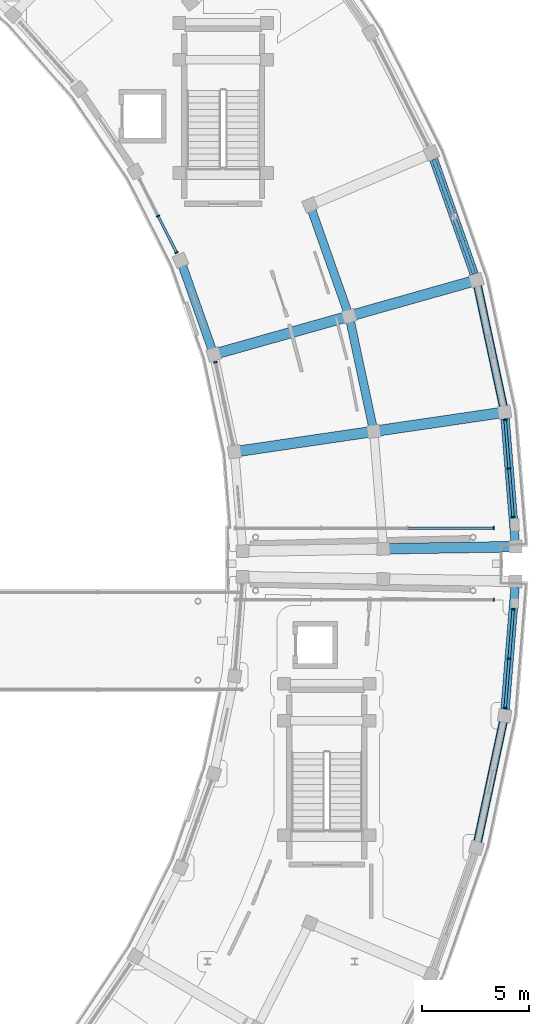
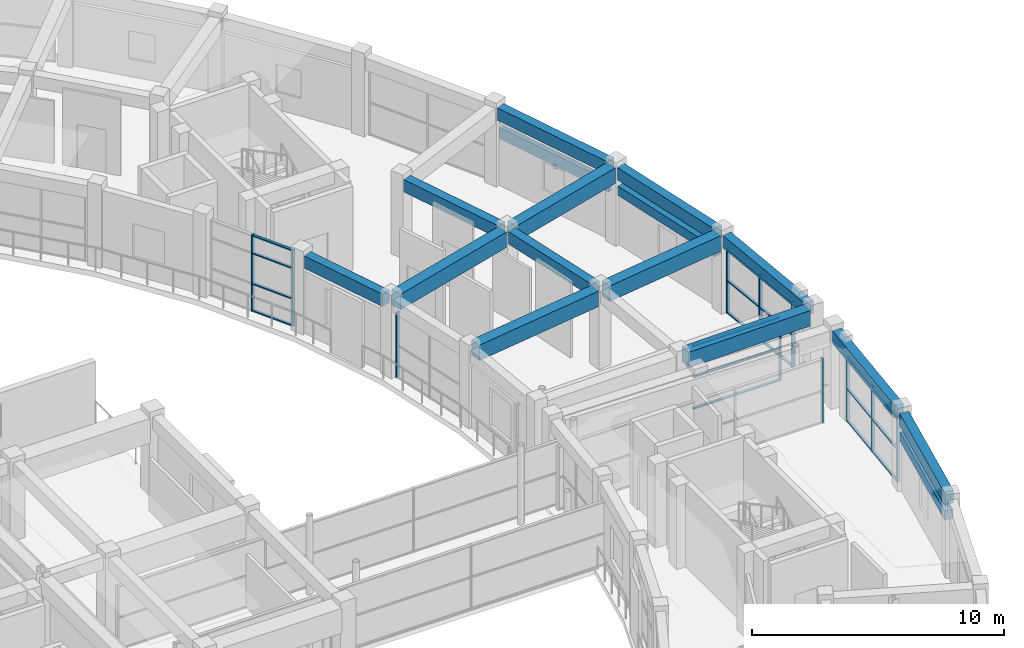
# One storey, part 28 of 70: 31 members, 15 beams, 6 elements without a shape of their own.
"""IFC4 building model written with IfcOpenShell, lengths in metres."""

from ifc_helpers import new_model, si_unit, direction, frame, origin, origin_2d, place, context, subcontext, project, spatial, rectangle, extrude, material, material_profile, profile_set, type_object, element, aggregate, save


model = new_model("IFC4")

# Units and contexts
model_context = context("Model", 3, precision=1e-05, world=origin(), true_north=direction((0.0, 1.0)))
body_context = subcontext(model_context, "Body", "Model", "MODEL_VIEW")
ifc_project = project(units=[si_unit("LENGTHUNIT", "METRE"), si_unit("AREAUNIT", "SQUARE_METRE"), si_unit("VOLUMEUNIT", "CUBIC_METRE"), si_unit("PLANEANGLEUNIT", "RADIAN"), si_unit("MASSUNIT", "GRAM", prefix="KILO")], contexts=[model_context])

# Site, building, storey
site_placement = place(None, origin())
site = spatial("IfcSite", under=ifc_project, at=site_placement, CompositionType="ELEMENT")
building_placement = place(site_placement, origin())
building = spatial("IfcBuilding", under=site, at=building_placement, Name="Saryqyr Civic Hall", CompositionType="ELEMENT")
storey_placement = place(building_placement, frame((0.0, 0.0, 13.199951171875)))
storey = spatial("IfcBuildingStorey", under=building, at=storey_placement, Name="L03", CompositionType="ELEMENT", Elevation=13.199951171875)

# Curtain wall, members
ifc_material_1 = material(Name="Anodised aluminium and triple low-E glass", Category="aluminium")
curtain_wall_type_1 = type_object("IfcCurtainWallType", Name="ENV-CW-STD-41", PredefinedType="NOTDEFINED", material=ifc_material_1)
curtain_wall_1_placement = place(storey_placement, origin())
curtain_wall_1 = element("IfcCurtainWall", 1, at=curtain_wall_1_placement, inside=storey, type_object=curtain_wall_type_1, Name="Curtain wall V5-CWO-L03-09", PredefinedType="NOTDEFINED")
ifc_material_2 = material(Name="Anodised aluminium", Category="aluminium")
ifc_material_profile_1 = material_profile(ifc_material_2, rectangle(XDim=0.06005859375, YDim=0.159912109375, at=origin_2d()), Name="ALU MULLION 60x160")
ifc_profile_set_1 = profile_set([ifc_material_profile_1], Name="Anodised aluminium")
member_type_1 = type_object("IfcMemberType", Name="ENV-CW-MUL-180", PredefinedType="MULLION", material=ifc_profile_set_1)
member_1_placement = place(storey_placement, frame((105.8857421875, 81.86669921875, 0.0), z_axis=(0.0, 0.0, 1.0), x_axis=(-0.081092831142, -0.996706552972, 0.0)))
member_1 = element("IfcMember", 2, at=member_1_placement, type_object=member_type_1, Name="CW-41 mullion 1", PredefinedType="MULLION", context=body_context, shape_type="SweptSolid", body=[
    extrude(rectangle(XDim=0.06005859375, YDim=0.159912109375, at=origin_2d()), origin(), (0.0, 0.0, 1.0), 3.1650390625),
])
member_2_placement = place(storey_placement, frame((105.697998046875, 79.558349609375, 0.0), z_axis=(0.0, 0.0, 1.0), x_axis=(-0.081092831142, -0.996706552972, 0.0)))
member_2 = element("IfcMember", 3, at=member_2_placement, type_object=member_type_1, Name="CW-41 mullion 2", PredefinedType="MULLION", context=body_context, shape_type="SweptSolid", body=[
    extrude(rectangle(XDim=0.06005859375, YDim=0.159912109375, at=origin_2d()), origin(), (0.0, 0.0, 1.0), 3.1650390625),
])
member_3_placement = place(storey_placement, frame((105.51025390625, 77.25, 0.0), z_axis=(0.0, 0.0, 1.0), x_axis=(-0.081092831142, -0.996706552972, 0.0)))
member_3 = element("IfcMember", 4, at=member_3_placement, type_object=member_type_1, Name="CW-41 mullion 3", PredefinedType="MULLION", context=body_context, shape_type="SweptSolid", body=[
    extrude(rectangle(XDim=0.06005859375, YDim=0.159912109375, at=origin_2d()), origin(), (0.0, 0.0, 1.0), 3.1650390625),
])

curtain_wall_type_2 = type_object("IfcCurtainWallType", Name="ENV-CW-STD-30", PredefinedType="NOTDEFINED", material=ifc_material_1)
curtain_wall_2_placement = place(storey_placement, origin())
curtain_wall_2 = element("IfcCurtainWall", 5, at=curtain_wall_2_placement, inside=storey, type_object=curtain_wall_type_2, Name="Curtain wall V6-CWO-L03-00", PredefinedType="NOTDEFINED")
member_4_placement = place(storey_placement, frame((105.51025390625, 90.75, 0.0), z_axis=(0.0, 0.0, 1.0), x_axis=(0.081093274213, -0.996706516923, 0.0)))
member_4 = element("IfcMember", 6, at=member_4_placement, type_object=member_type_1, Name="CW-30 mullion 1", PredefinedType="MULLION", context=body_context, shape_type="SweptSolid", body=[
    extrude(rectangle(XDim=0.06005859375, YDim=0.159912109375, at=origin_2d()), origin(), (0.0, 0.0, 1.0), 3.1650390625),
])
member_5_placement = place(storey_placement, frame((105.69482421875, 88.479248046875, 0.0), z_axis=(0.0, 0.0, 1.0), x_axis=(0.081093274213, -0.996706516923, 0.0)))
member_5 = element("IfcMember", 7, at=member_5_placement, type_object=member_type_1, Name="CW-30 mullion 2", PredefinedType="MULLION", context=body_context, shape_type="SweptSolid", body=[
    extrude(rectangle(XDim=0.06005859375, YDim=0.159912109375, at=origin_2d()), origin(), (0.0, 0.0, 1.0), 3.1650390625),
])
member_6_placement = place(storey_placement, frame((105.879638671875, 86.208251953125, 0.0), z_axis=(0.0, 0.0, 1.0), x_axis=(0.081093274213, -0.996706516923, 0.0)))
member_6 = element("IfcMember", 8, at=member_6_placement, type_object=member_type_1, Name="CW-30 mullion 3", PredefinedType="MULLION", context=body_context, shape_type="SweptSolid", body=[
    extrude(rectangle(XDim=0.06005859375, YDim=0.159912109375, at=origin_2d()), origin(), (0.0, 0.0, 1.0), 3.1650390625),
])

# Curtain wall, member
curtain_wall_type_3 = type_object("IfcCurtainWallType", Name="ENV-CW-STD-21", PredefinedType="NOTDEFINED", material=ifc_material_1)
curtain_wall_3_placement = place(storey_placement, origin())
curtain_wall_3 = element("IfcCurtainWall", 9, at=curtain_wall_3_placement, inside=storey, type_object=curtain_wall_type_3, Name="Curtain wall V6-CWI-L03-01", PredefinedType="NOTDEFINED")
member_7_placement = place(storey_placement, frame((91.91796875, 93.462890625, 0.0), z_axis=(0.0, 0.0, 1.0), x_axis=(-0.208899296688, 0.97793715741, 0.0)))
member_7 = element("IfcMember", 10, at=member_7_placement, type_object=member_type_1, Name="CW-21 mullion 3", PredefinedType="MULLION", context=body_context, shape_type="SweptSolid", body=[
    extrude(rectangle(XDim=0.06005859375, YDim=0.159912109375, at=origin_2d()), origin(), (0.0, 0.0, 1.0), 3.1650390625),
])
aggregate(curtain_wall_3, [member_7])

# Curtain wall, members
curtain_wall_type_4 = type_object("IfcCurtainWallType", Name="ENV-CW-STD-48", PredefinedType="NOTDEFINED", material=ifc_material_1)
curtain_wall_4_placement = place(storey_placement, origin())
curtain_wall_4 = element("IfcCurtainWall", 11, at=curtain_wall_4_placement, inside=storey, type_object=curtain_wall_type_4, Name="Curtain wall V6-CWI-L03-03", PredefinedType="NOTDEFINED")
member_8_placement = place(storey_placement, frame((90.095458984375, 98.607177734375, 0.0), z_axis=(0.0, 0.0, 1.0), x_axis=(-0.451909750219, 0.892063662334, 0.0)))
member_8 = element("IfcMember", 12, at=member_8_placement, type_object=member_type_1, Name="CW-48 mullion 1", PredefinedType="MULLION", context=body_context, shape_type="SweptSolid", body=[
    extrude(rectangle(XDim=0.06005859375, YDim=0.159912109375, at=origin_2d()), origin(), (0.0, 0.0, 1.0), 3.699951171875),
])
member_9_placement = place(storey_placement, frame((89.224853515625, 100.32568359375, 0.0), z_axis=(0.0, 0.0, 1.0), x_axis=(-0.451909750219, 0.892063662334, 0.0)))
member_9 = element("IfcMember", 13, at=member_9_placement, type_object=member_type_1, Name="CW-48 mullion 2", PredefinedType="MULLION", context=body_context, shape_type="SweptSolid", body=[
    extrude(rectangle(XDim=0.06005859375, YDim=0.159912109375, at=origin_2d()), origin(), (0.0, 0.0, 1.0), 3.699951171875),
])

# Curtain wall, member
curtain_wall_type_5 = type_object("IfcCurtainWallType", Name="ENV-CW-STD-81", PredefinedType="NOTDEFINED", material=ifc_material_1)
curtain_wall_5_placement = place(storey_placement, origin())
curtain_wall_5 = element("IfcCurtainWall", 14, at=curtain_wall_5_placement, inside=storey, type_object=curtain_wall_type_5, Name="Curtain wall BR-E-CW1-L03", PredefinedType="NOTDEFINED")
member_10_placement = place(storey_placement, frame((104.969970703125, 82.320068359375, 0.0), z_axis=(0.0, 0.0, 1.0), x_axis=(-1.0, 0.0, 0.0)))
member_10 = element("IfcMember", 15, at=member_10_placement, type_object=member_type_1, Name="CW-81 mullion 1", PredefinedType="MULLION", context=body_context, shape_type="SweptSolid", body=[
    extrude(rectangle(XDim=0.06005859375, YDim=0.159912109375, at=origin_2d()), origin(), (0.0, 0.0, 1.0), 3.10009765625),
])
aggregate(curtain_wall_5, [member_10])

curtain_wall_6_placement = place(storey_placement, origin())
curtain_wall_6 = element("IfcCurtainWall", 16, at=curtain_wall_6_placement, inside=storey, type_object=curtain_wall_type_5, Name="Curtain wall BR-E-CW2-L03", PredefinedType="NOTDEFINED")
member_11_placement = place(storey_placement, frame((104.969970703125, 85.679931640625, 0.0), z_axis=(0.0, 0.0, 1.0), x_axis=(1.0, 0.0, 0.0)))
member_11 = element("IfcMember", 17, at=member_11_placement, type_object=member_type_1, Name="CW-81 mullion 4", PredefinedType="MULLION", context=body_context, shape_type="SweptSolid", body=[
    extrude(rectangle(XDim=0.06005859375, YDim=0.159912109375, at=origin_2d()), origin(), (0.0, 0.0, 1.0), 3.10009765625),
])

# Member
ifc_material_profile_2 = material_profile(ifc_material_2, rectangle(XDim=0.1201171875, YDim=0.06005859375, at=origin_2d()), Name="ALU TRANSOM 120x60")
ifc_profile_set_2 = profile_set([ifc_material_profile_2], Name="Anodised aluminium")
member_type_2 = type_object("IfcMemberType", Name="ENV-CW-TRN-150", PredefinedType="USERDEFINED", material=ifc_profile_set_2)
member_12_placement = place(storey_placement, frame((105.88330078125, 81.8369140625, 0.030029296875), z_axis=(-0.081048303216, -0.996710174798, 0.0), x_axis=(0.996710174798, -0.081048303216, 0.0)))
member_12 = element("IfcMember", 18, at=member_12_placement, type_object=member_type_2, Name="CW-41 transom 1.1", ObjectType="TRANSOM", PredefinedType="USERDEFINED", context=body_context, shape_type="SweptSolid", body=[
    extrude(rectangle(XDim=0.1201171875, YDim=0.06005859375, at=origin_2d()), origin(), (0.0, 0.0, 1.0), 2.256103515625),
])

member_13_placement = place(storey_placement, frame((105.88330078125, 81.8369140625, 1.58203125), z_axis=(-0.081048303216, -0.996710174798, 0.0), x_axis=(0.996710174798, -0.081048303216, 0.0)))
member_13 = element("IfcMember", 19, at=member_13_placement, type_object=member_type_2, Name="CW-41 transom 1.2", ObjectType="TRANSOM", PredefinedType="USERDEFINED", context=body_context, shape_type="SweptSolid", body=[
    extrude(rectangle(XDim=0.1201171875, YDim=0.06005859375, at=origin_2d()), origin(), (0.0, 0.0, 1.0), 2.256103515625),
])

member_14_placement = place(storey_placement, frame((105.88330078125, 81.8369140625, 3.135009765625), z_axis=(-0.081048303216, -0.996710174798, 0.0), x_axis=(0.996710174798, -0.081048303216, 0.0)))
member_14 = element("IfcMember", 20, at=member_14_placement, type_object=member_type_2, Name="CW-41 transom 1.3", ObjectType="TRANSOM", PredefinedType="USERDEFINED", context=body_context, shape_type="SweptSolid", body=[
    extrude(rectangle(XDim=0.1201171875, YDim=0.06005859375, at=origin_2d()), origin(), (0.0, 0.0, 1.0), 2.256103515625),
])

member_15_placement = place(storey_placement, frame((105.695556640625, 79.528564453125, 0.030029296875), z_axis=(-0.08115579968, -0.9967014278, 0.0), x_axis=(0.9967014278, -0.08115579968, 0.0)))
member_15 = element("IfcMember", 21, at=member_15_placement, type_object=member_type_2, Name="CW-41 transom 2.1", ObjectType="TRANSOM", PredefinedType="USERDEFINED", context=body_context, shape_type="SweptSolid", body=[
    extrude(rectangle(XDim=0.1201171875, YDim=0.06005859375, at=origin_2d()), origin(), (0.0, 0.0, 1.0), 2.256103515625),
])

member_16_placement = place(storey_placement, frame((105.695556640625, 79.528564453125, 1.58203125), z_axis=(-0.08115579968, -0.9967014278, 0.0), x_axis=(0.9967014278, -0.08115579968, 0.0)))
member_16 = element("IfcMember", 22, at=member_16_placement, type_object=member_type_2, Name="CW-41 transom 2.2", ObjectType="TRANSOM", PredefinedType="USERDEFINED", context=body_context, shape_type="SweptSolid", body=[
    extrude(rectangle(XDim=0.1201171875, YDim=0.06005859375, at=origin_2d()), origin(), (0.0, 0.0, 1.0), 2.256103515625),
])

member_17_placement = place(storey_placement, frame((105.695556640625, 79.528564453125, 3.135009765625), z_axis=(-0.08115579968, -0.9967014278, 0.0), x_axis=(0.9967014278, -0.08115579968, 0.0)))
member_17 = element("IfcMember", 23, at=member_17_placement, type_object=member_type_2, Name="CW-41 transom 2.3", ObjectType="TRANSOM", PredefinedType="USERDEFINED", context=body_context, shape_type="SweptSolid", body=[
    extrude(rectangle(XDim=0.1201171875, YDim=0.06005859375, at=origin_2d()), origin(), (0.0, 0.0, 1.0), 2.256103515625),
])

aggregate(curtain_wall_1, [member_1, member_2, member_3, member_12, member_13, member_14, member_15, member_16, member_17])

member_18_placement = place(storey_placement, frame((105.512451171875, 90.72021484375, 0.030029296875), z_axis=(0.081105440366, -0.996705526995, 0.0), x_axis=(0.996705526995, 0.081105440366, 0.0)))
member_18 = element("IfcMember", 24, at=member_18_placement, type_object=member_type_2, Name="CW-30 transom 1.1", ObjectType="TRANSOM", PredefinedType="USERDEFINED", context=body_context, shape_type="SweptSolid", body=[
    extrude(rectangle(XDim=0.1201171875, YDim=0.06005859375, at=origin_2d()), origin(), (0.0, 0.0, 1.0), 2.218505859375),
])

member_19_placement = place(storey_placement, frame((105.512451171875, 90.72021484375, 1.58203125), z_axis=(0.081105440366, -0.996705526995, 0.0), x_axis=(0.996705526995, 0.081105440366, 0.0)))
member_19 = element("IfcMember", 25, at=member_19_placement, type_object=member_type_2, Name="CW-30 transom 1.2", ObjectType="TRANSOM", PredefinedType="USERDEFINED", context=body_context, shape_type="SweptSolid", body=[
    extrude(rectangle(XDim=0.1201171875, YDim=0.06005859375, at=origin_2d()), origin(), (0.0, 0.0, 1.0), 2.218505859375),
])

member_20_placement = place(storey_placement, frame((105.512451171875, 90.72021484375, 3.135009765625), z_axis=(0.081105440366, -0.996705526995, 0.0), x_axis=(0.996705526995, 0.081105440366, 0.0)))
member_20 = element("IfcMember", 26, at=member_20_placement, type_object=member_type_2, Name="CW-30 transom 1.3", ObjectType="TRANSOM", PredefinedType="USERDEFINED", context=body_context, shape_type="SweptSolid", body=[
    extrude(rectangle(XDim=0.1201171875, YDim=0.06005859375, at=origin_2d()), origin(), (0.0, 0.0, 1.0), 2.218505859375),
])

member_21_placement = place(storey_placement, frame((105.697265625, 88.44921875, 0.030029296875), z_axis=(0.081105440366, -0.996705526995, 0.0), x_axis=(0.996705526995, 0.081105440366, 0.0)))
member_21 = element("IfcMember", 27, at=member_21_placement, type_object=member_type_2, Name="CW-30 transom 2.1", ObjectType="TRANSOM", PredefinedType="USERDEFINED", context=body_context, shape_type="SweptSolid", body=[
    extrude(rectangle(XDim=0.1201171875, YDim=0.06005859375, at=origin_2d()), origin(), (0.0, 0.0, 1.0), 2.218505859375),
])

member_22_placement = place(storey_placement, frame((105.697265625, 88.44921875, 1.58203125), z_axis=(0.081105440366, -0.996705526995, 0.0), x_axis=(0.996705526995, 0.081105440366, 0.0)))
member_22 = element("IfcMember", 28, at=member_22_placement, type_object=member_type_2, Name="CW-30 transom 2.2", ObjectType="TRANSOM", PredefinedType="USERDEFINED", context=body_context, shape_type="SweptSolid", body=[
    extrude(rectangle(XDim=0.1201171875, YDim=0.06005859375, at=origin_2d()), origin(), (0.0, 0.0, 1.0), 2.218505859375),
])

member_23_placement = place(storey_placement, frame((105.697265625, 88.44921875, 3.135009765625), z_axis=(0.081105440366, -0.996705526995, 0.0), x_axis=(0.996705526995, 0.081105440366, 0.0)))
member_23 = element("IfcMember", 29, at=member_23_placement, type_object=member_type_2, Name="CW-30 transom 2.3", ObjectType="TRANSOM", PredefinedType="USERDEFINED", context=body_context, shape_type="SweptSolid", body=[
    extrude(rectangle(XDim=0.1201171875, YDim=0.06005859375, at=origin_2d()), origin(), (0.0, 0.0, 1.0), 2.218505859375),
])

aggregate(curtain_wall_2, [member_4, member_5, member_6, member_18, member_19, member_20, member_21, member_22, member_23])

member_24_placement = place(storey_placement, frame((90.08203125, 98.634033203125, 0.030029296875), z_axis=(-0.451968956938, 0.892033666385, 0.0), x_axis=(-0.892033666385, -0.451968956938, 0.0)))
member_24 = element("IfcMember", 30, at=member_24_placement, type_object=member_type_2, Name="CW-48 transom 1.1", ObjectType="TRANSOM", PredefinedType="USERDEFINED", context=body_context, shape_type="SweptSolid", body=[
    extrude(rectangle(XDim=0.1201171875, YDim=0.06005859375, at=origin_2d()), origin(), (0.0, 0.0, 1.0), 1.8662109375),
])

member_25_placement = place(storey_placement, frame((90.08203125, 98.634033203125, 1.33203125), z_axis=(-0.451968956938, 0.892033666385, 0.0), x_axis=(-0.892033666385, -0.451968956938, 0.0)))
member_25 = element("IfcMember", 31, at=member_25_placement, type_object=member_type_2, Name="CW-48 transom 1.2", ObjectType="TRANSOM", PredefinedType="USERDEFINED", context=body_context, shape_type="SweptSolid", body=[
    extrude(rectangle(XDim=0.1201171875, YDim=0.06005859375, at=origin_2d()), origin(), (0.0, 0.0, 1.0), 1.8662109375),
])

member_26_placement = place(storey_placement, frame((90.08203125, 98.634033203125, 2.81201171875), z_axis=(-0.451968956938, 0.892033666385, 0.0), x_axis=(-0.892033666385, -0.451968956938, 0.0)))
member_26 = element("IfcMember", 32, at=member_26_placement, type_object=member_type_2, Name="CW-48 transom 1.3", ObjectType="TRANSOM", PredefinedType="USERDEFINED", context=body_context, shape_type="SweptSolid", body=[
    extrude(rectangle(XDim=0.1201171875, YDim=0.06005859375, at=origin_2d()), origin(), (0.0, 0.0, 1.0), 1.8662109375),
])

member_27_placement = place(storey_placement, frame((90.08203125, 98.634033203125, 3.670166015625), z_axis=(-0.451968956938, 0.892033666385, 0.0), x_axis=(-0.892033666385, -0.451968956938, 0.0)))
member_27 = element("IfcMember", 33, at=member_27_placement, type_object=member_type_2, Name="CW-48 transom 1.4", ObjectType="TRANSOM", PredefinedType="USERDEFINED", context=body_context, shape_type="SweptSolid", body=[
    extrude(rectangle(XDim=0.1201171875, YDim=0.06005859375, at=origin_2d()), origin(), (0.0, 0.0, 1.0), 1.8662109375),
])

aggregate(curtain_wall_4, [member_8, member_9, member_24, member_25, member_26, member_27])

member_28_placement = place(storey_placement, frame((100.96337890625, 85.679931640625, 0.030029296875), z_axis=(1.0, 0.0, 0.0), x_axis=(0.0, 1.0, 0.0)))
member_28 = element("IfcMember", 34, at=member_28_placement, type_object=member_type_2, Name="CW-81 transom 3.1", ObjectType="TRANSOM", PredefinedType="USERDEFINED", context=body_context, shape_type="SweptSolid", body=[
    extrude(rectangle(XDim=0.1201171875, YDim=0.06005859375, at=origin_2d()), origin(), (0.0, 0.0, 1.0), 3.9765625),
])

member_29_placement = place(storey_placement, frame((100.96337890625, 85.679931640625, 1.550048828125), z_axis=(1.0, 0.0, 0.0), x_axis=(0.0, 1.0, 0.0)))
member_29 = element("IfcMember", 35, at=member_29_placement, type_object=member_type_2, Name="CW-81 transom 3.2", ObjectType="TRANSOM", PredefinedType="USERDEFINED", context=body_context, shape_type="SweptSolid", body=[
    extrude(rectangle(XDim=0.1201171875, YDim=0.06005859375, at=origin_2d()), origin(), (0.0, 0.0, 1.0), 3.9765625),
])

member_30_placement = place(storey_placement, frame((100.96337890625, 85.679931640625, 3.070068359375), z_axis=(1.0, 0.0, 0.0), x_axis=(0.0, 1.0, 0.0)))
member_30 = element("IfcMember", 36, at=member_30_placement, type_object=member_type_2, Name="CW-81 transom 3.3", ObjectType="TRANSOM", PredefinedType="USERDEFINED", context=body_context, shape_type="SweptSolid", body=[
    extrude(rectangle(XDim=0.1201171875, YDim=0.06005859375, at=origin_2d()), origin(), (0.0, 0.0, 1.0), 3.9765625),
])

aggregate(curtain_wall_6, [member_11, member_28, member_29, member_30])

ifc_material_3 = material(Name="Precast concrete C40/50", Category="concrete")
ifc_material_profile_3 = material_profile(ifc_material_3, rectangle(XDim=0.179931640625, YDim=0.550048828125, at=origin_2d()), Name="PC FIN 180x550")
ifc_profile_set_3 = profile_set([ifc_material_profile_3], Name="Precast concrete C40/50")
member_type_3 = type_object("IfcMemberType", Name="ENV-FIN-PC550", PredefinedType="USERDEFINED", material=ifc_profile_set_3)
member_31_placement = place(storey_placement, frame((104.052001953125, 97.608642578125, 2.52001953125), z_axis=(-0.333161095844, 0.942869919032, 0.0), x_axis=(-0.942869919032, -0.333161095844, 0.0)))
element("IfcMember", 37, at=member_31_placement, inside=storey, type_object=member_type_3, Name="Precast horizontal solar brise-soleil fin V6-L03-02", ObjectType="SOLAR_FIN", PredefinedType="USERDEFINED", context=body_context, shape_type="SweptSolid", body=[
    extrude(rectangle(XDim=0.179931640625, YDim=0.550048828125, at=origin_2d()), origin(), (0.0, 0.0, 1.0), 5.6923828125),
])

# Beams
ifc_material_4 = material(Name="Concrete C35/45", Category="concrete")
ifc_material_profile_4 = material_profile(ifc_material_4, rectangle(XDim=0.39990234375, YDim=0.60009765625, at=origin_2d()), Name="RC 400x600")
ifc_profile_set_4 = profile_set([ifc_material_profile_4], Name="Concrete C35/45")
beam_type_1 = type_object("IfcBeamType", Name="STR-BM-RC400x600", PredefinedType="BEAM", material=ifc_profile_set_4)
for number, where, z_axis, x_axis, name in (
    (38, (99.288330078125, 90.488037109375, 3.489990234375), (-0.208889285381, 0.977939295894, 0.0), (-0.977939295894, -0.208889285381, 0.0), "Beam V6-CBM-MID01-L03"),
    (39, (98.099609375, 95.884033203125, 3.489990234375), (-0.333215168941, 0.942850810674, 0.0), (-0.942850810674, -0.333215168941, 0.0), "Beam V6-CBM-MID02-L03"),
):
    element("IfcBeam", number, at=place(storey_placement, frame(where, z_axis=z_axis, x_axis=x_axis)), inside=storey, type_object=beam_type_1, Name=name, PredefinedType="BEAM", context=body_context, shape_type="SweptSolid", body=[
        extrude(rectangle(XDim=0.39990234375, YDim=0.60009765625, at=origin_2d()), origin(), (0.0, 0.0, 1.0), 4.977783203125),
    ])
ifc_material_profile_5 = material_profile(ifc_material_4, rectangle(XDim=0.39990234375, YDim=0.60009765625, at=origin_2d()), Name="RC 400x600")
ifc_profile_set_5 = profile_set([ifc_material_profile_5], Name="Concrete C35/45")
beam_type_2 = type_object("IfcBeamType", Name="STR-BM-RC400x600-EXT", PredefinedType="BEAM", material=ifc_profile_set_5)
beam_1_placement = place(storey_placement, frame((104.21533203125, 70.960205078125, 3.489990234375), z_axis=(0.208928885594, 0.977930836391, 0.0), x_axis=(-0.977930836391, 0.208928885594, 0.0)))
element("IfcBeam", 40, at=beam_1_placement, inside=storey, type_object=beam_type_2, Name="Beam V5-CBM-OUT08-L03", PredefinedType="BEAM", context=body_context, shape_type="SweptSolid", body=[
    extrude(rectangle(XDim=0.39990234375, YDim=0.60009765625, at=origin_2d()), origin(), (0.0, 0.0, 1.0), 5.7783203125),
])
for number, where, z_axis, x_axis, name in (
    (41, (105.502197265625, 77.154052734375, 3.489990234375), (0.081118754251, 0.996704443508, 0.0), (-0.996704443508, 0.081118754251, 0.0), "Beam V5-CBM-OUT09-L03"),
    (42, (105.970947265625, 85.08642578125, 3.489990234375), (-0.081118754251, 0.996704443508, 0.0), (-0.996704443508, -0.081118754251, 0.0), "Beam V6-CBM-OUT00-L03"),
):
    element("IfcBeam", number, at=place(storey_placement, frame(where, z_axis=z_axis, x_axis=x_axis)), inside=storey, type_object=beam_type_2, Name=name, PredefinedType="BEAM", context=body_context, shape_type="SweptSolid", body=[
        extrude(rectangle(XDim=0.39990234375, YDim=0.60009765625, at=origin_2d()), origin(), (0.0, 0.0, 1.0), 5.778564453125),
    ])
beam_2_placement = place(storey_placement, frame((105.422607421875, 91.388916015625, 3.489990234375), z_axis=(-0.208928885594, 0.977930836391, 0.0), x_axis=(-0.977930836391, -0.208928885594, 0.0)))
element("IfcBeam", 43, at=beam_2_placement, inside=storey, type_object=beam_type_2, Name="Beam V6-CBM-OUT01-L03", PredefinedType="BEAM", context=body_context, shape_type="SweptSolid", body=[
    extrude(rectangle(XDim=0.39990234375, YDim=0.60009765625, at=origin_2d()), origin(), (0.0, 0.0, 1.0), 5.7783203125),
])
beam_3_placement = place(storey_placement, frame((91.74755859375, 94.091552734375, 3.489990234375), z_axis=(-0.333185372097, 0.942861340718, 0.0), x_axis=(-0.942861340718, -0.333185372097, 0.0)))
element("IfcBeam", 44, at=beam_3_placement, inside=storey, type_object=beam_type_2, Name="Beam V6-CBM-IN02-L03", PredefinedType="BEAM", context=body_context, shape_type="SweptSolid", body=[
    extrude(rectangle(XDim=0.39990234375, YDim=0.60009765625, at=origin_2d()), origin(), (0.0, 0.0, 1.0), 4.12548828125),
])
beam_4_placement = place(storey_placement, frame((104.06640625, 97.568115234375, 3.489990234375), z_axis=(-0.333186956354, 0.942860780877, 0.0), x_axis=(-0.942860780877, -0.333186956354, 0.0)))
element("IfcBeam", 45, at=beam_4_placement, inside=storey, type_object=beam_type_2, Name="Beam V6-CBM-OUT02-L03", PredefinedType="BEAM", context=body_context, shape_type="SweptSolid", body=[
    extrude(rectangle(XDim=0.39990234375, YDim=0.60009765625, at=origin_2d()), origin(), (0.0, 0.0, 1.0), 5.7783203125),
])
ifc_material_5 = material(Name="Concrete C40/50", Category="concrete")
ifc_material_profile_6 = material_profile(ifc_material_5, rectangle(XDim=0.5, YDim=0.75, at=origin_2d()), Name="RC 500x750")
ifc_profile_set_6 = profile_set([ifc_material_profile_6], Name="Concrete C40/50")
beam_type_3 = type_object("IfcBeamType", Name="STR-BM-RC500x750", PredefinedType="BEAM", material=ifc_profile_set_6)
beam_5_placement = place(storey_placement, frame((100.069091796875, 84.714111328125, 3.4150390625), z_axis=(0.999862325475, 0.016593073728, 0.0), x_axis=(-0.016593073728, 0.999862325475, 0.0)))
element("IfcBeam", 46, at=beam_5_placement, inside=storey, type_object=beam_type_3, Name="Beam V6-RBM-B00-L03", PredefinedType="BEAM", context=body_context, shape_type="SweptSolid", body=[
    extrude(rectangle(XDim=0.5, YDim=0.75, at=origin_2d()), origin(), (0.0, 0.0, 1.0), 5.64990234375),
])
beam_6_placement = place(storey_placement, frame((93.087890625, 89.300048828125, 3.4150390625), z_axis=(0.989385770491, 0.145312756323, 0.0), x_axis=(-0.145312756323, 0.989385770491, 0.0)))
element("IfcBeam", 47, at=beam_6_placement, inside=storey, type_object=beam_type_3, Name="Beam V6-RBM-A01-L03", PredefinedType="BEAM", context=body_context, shape_type="SweptSolid", body=[
    extrude(rectangle(XDim=0.5, YDim=0.75, at=origin_2d()), origin(), (0.0, 0.0, 1.0), 6.050048828125),
])
beam_7_placement = place(storey_placement, frame((99.617919921875, 90.259033203125, 3.4150390625), z_axis=(0.989385279689, 0.145316097986, 0.0), x_axis=(-0.145316097986, 0.989385279689, 0.0)))
element("IfcBeam", 48, at=beam_7_placement, inside=storey, type_object=beam_type_3, Name="Beam V6-RBM-B01-L03", PredefinedType="BEAM", context=body_context, shape_type="SweptSolid", body=[
    extrude(rectangle(XDim=0.5, YDim=0.75, at=origin_2d()), origin(), (0.0, 0.0, 1.0), 5.650146484375),
])
beam_8_placement = place(storey_placement, frame((92.10400390625, 93.906982421875, 3.4150390625), z_axis=(0.962414253167, 0.27158572367, 0.0), x_axis=(-0.27158572367, 0.962414253167, 0.0)))
element("IfcBeam", 49, at=beam_8_placement, inside=storey, type_object=beam_type_3, Name="Beam V6-RBM-A02-L03", PredefinedType="BEAM", context=body_context, shape_type="SweptSolid", body=[
    extrude(rectangle(XDim=0.5, YDim=0.75, at=origin_2d()), origin(), (0.0, 0.0, 1.0), 6.0498046875),
])
beam_9_placement = place(storey_placement, frame((98.455810546875, 95.699462890625, 3.4150390625), z_axis=(0.962402766015, 0.271626427226, 0.0), x_axis=(-0.271626427226, 0.962402766015, 0.0)))
element("IfcBeam", 50, at=beam_9_placement, inside=storey, type_object=beam_type_3, Name="Beam V6-RBM-B02-L03", PredefinedType="BEAM", context=body_context, shape_type="SweptSolid", body=[
    extrude(rectangle(XDim=0.5, YDim=0.75, at=origin_2d()), origin(), (0.0, 0.0, 1.0), 5.64990234375),
])
ifc_material_profile_7 = material_profile(ifc_material_3, rectangle(XDim=0.35009765625, YDim=0.449951171875, at=origin_2d()), Name="RC 350x450")
ifc_profile_set_7 = profile_set([ifc_material_profile_7], Name="Precast concrete C40/50")
beam_type_4 = type_object("IfcBeamType", Name="STR-LIN-RC350x450", PredefinedType="LINTEL", material=ifc_profile_set_7)
for number, where, z_axis, x_axis, name in (
    (51, (104.21533203125, 70.960205078125, 2.655029296875), (0.208928885594, 0.977930836391, 0.0), (-0.977930836391, 0.208928885594, 0.0), "Beam V5-LIN-08-L03"),
    (52, (105.422607421875, 91.388916015625, 2.655029296875), (-0.208928885594, 0.977930836391, 0.0), (-0.977930836391, -0.208928885594, 0.0), "Beam V6-LIN-01-L03"),
):
    element("IfcBeam", number, at=place(storey_placement, frame(where, z_axis=z_axis, x_axis=x_axis)), inside=storey, type_object=beam_type_4, Name=name, PredefinedType="LINTEL", context=body_context, shape_type="SweptSolid", body=[
        extrude(rectangle(XDim=0.35009765625, YDim=0.449951171875, at=origin_2d()), origin(), (0.0, 0.0, 1.0), 5.7783203125),
    ])

save(model, "model.ifc")
